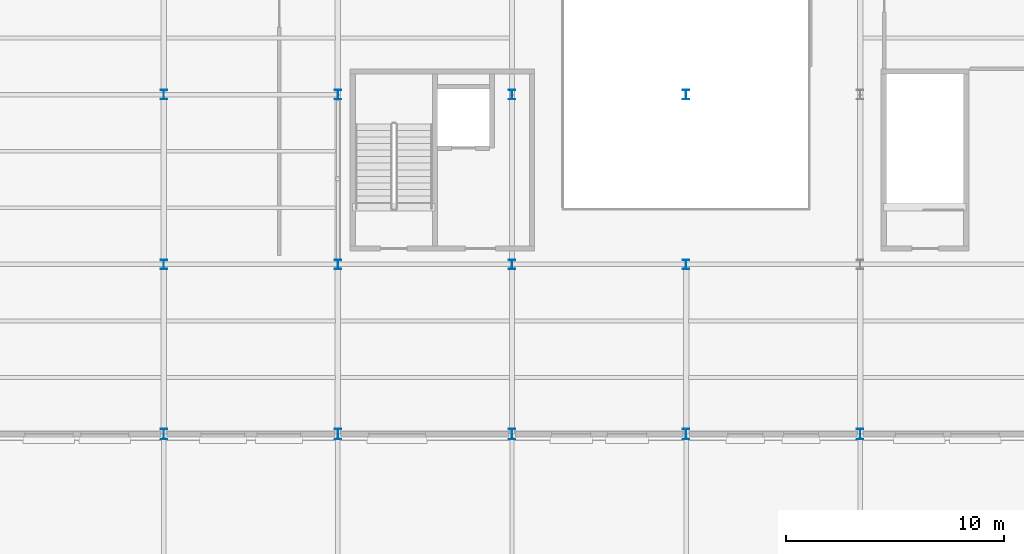
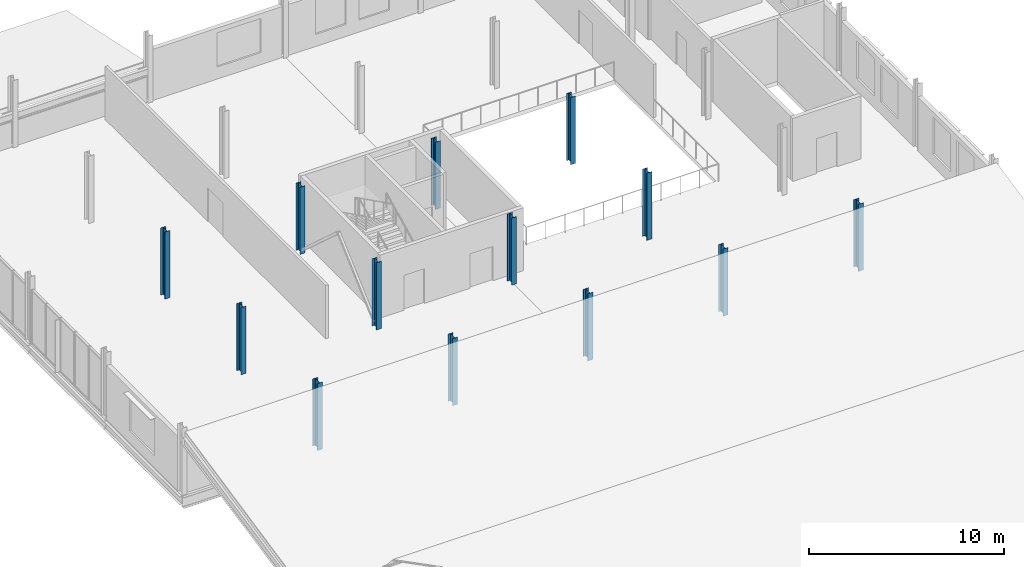
# One storey, part 3 of 45: 13 columns.
"""IFC4 building model written with IfcOpenShell, lengths in metres."""

from ifc_helpers import new_model, si_unit, direction, frame, origin, origin_2d, place, context, subcontext, project, spatial, i_section, extrude, material, material_profile, profile_set, type_object, element, save


model = new_model("IFC4")

# Units and contexts
model_context = context("Model", 3, precision=1e-05, world=origin(), true_north=direction((0.0, 1.0)))
body_context = subcontext(model_context, "Body", "Model", "MODEL_VIEW")
ifc_project = project(units=[si_unit("LENGTHUNIT", "METRE"), si_unit("AREAUNIT", "SQUARE_METRE"), si_unit("VOLUMEUNIT", "CUBIC_METRE"), si_unit("PLANEANGLEUNIT", "RADIAN"), si_unit("MASSUNIT", "GRAM", prefix="KILO")], contexts=[model_context])

# Site, building, storey
site_placement = place(None, origin())
site = spatial("IfcSite", under=ifc_project, at=site_placement, CompositionType="ELEMENT")
building_placement = place(site_placement, origin())
building = spatial("IfcBuilding", under=site, at=building_placement, Name="Yukiwa Park Conservatory and Herbarium", CompositionType="ELEMENT")
storey_placement = place(building_placement, frame((0.0, 0.0, 9.0)))
storey = spatial("IfcBuildingStorey", under=building, at=storey_placement, Name="L02", CompositionType="ELEMENT", Elevation=9.0)

# Columns
ifc_material_1 = material(Name="Steel Q355D", Category="steel")
ifc_material_profile_1 = material_profile(ifc_material_1, i_section(OverallWidth=0.300048828125, OverallDepth=0.43994140625, WebThickness=0.010986328125, FlangeThickness=0.01806640625, FilletRadius=0.02392578125, at=origin_2d()), Name="HM 440x300x11x18")
ifc_profile_set_1 = profile_set([ifc_material_profile_1], Name="Steel Q355D")
column_type_1 = type_object("IfcColumnType", Name="COL-VS-HM440", PredefinedType="COLUMN", material=ifc_profile_set_1)
for number, where, z_axis, x_axis, name in (
    (1, (68.0, 54.60009765625, 0.0), (0.0, 0.0, 1.0), (1.0, 0.0, 0.0), "L02 column V3-X680-Y546"),
    (2, (68.0, 62.39990234375, 0.0), (0.0, 0.0, 1.0), (1.0, 0.0, 0.0), "L02 column V3-X680-Y624"),
    (3, (76.0, 54.60009765625, 0.0), (0.0, 0.0, 1.0), (1.0, 0.0, 0.0), "L02 column V3-X760-Y546"),
    (4, (76.0, 62.39990234375, 0.0), (0.0, 0.0, 1.0), (1.0, 0.0, 0.0), "L02 column V3-X760-Y624"),
    (5, (84.0, 54.60009765625, 0.0), (0.0, 0.0, 1.0), (1.0, 0.0, 0.0), "L02 column V3-X840-Y546"),
    (6, (84.0, 62.39990234375, 0.0), (0.0, 0.0, 1.0), (1.0, 0.0, 0.0), "L02 column V3-X840-Y624"),
    (7, (92.0, 54.60009765625, 0.0), (0.0, 0.0, 1.0), (1.0, 0.0, 0.0), "L02 column V3-X920-Y546"),
    (8, (92.0, 62.39990234375, 0.0), (0.0, 0.0, 1.0), (1.0, 0.0, 0.0), "L02 column V3-X920-Y624"),
):
    element("IfcColumn", number, at=place(storey_placement, frame(where, z_axis=z_axis, x_axis=x_axis)), inside=storey, type_object=column_type_1, Name=name, PredefinedType="COLUMN", context=body_context, shape_type="SweptSolid", body=[
        extrude(i_section(OverallWidth=0.300048828125, OverallDepth=0.43994140625, WebThickness=0.010986328125, FlangeThickness=0.01806640625, FilletRadius=0.02392578125, at=origin_2d()), origin(), (0.0, 0.0, 1.0), 4.199951171875),
    ])
ifc_material_2 = material(Name="Steel Q355D", Category="steel")
ifc_material_profile_2 = material_profile(ifc_material_2, i_section(OverallWidth=0.300048828125, OverallDepth=0.48193359375, WebThickness=0.010986328125, FlangeThickness=0.014892578125, FilletRadius=0.02392578125, at=origin_2d()), Name="HM 482x300x11x15")
ifc_profile_set_2 = profile_set([ifc_material_profile_2], Name="Steel Q355D")
column_type_2 = type_object("IfcColumnType", Name="COL-VS-HM482-EXT", PredefinedType="COLUMN", material=ifc_profile_set_2)
for number, where, z_axis, x_axis, name in (
    (9, (68.0, 46.800048828125, 0.0), (0.0, 0.0, 1.0), (1.0, 0.0, 0.0), "L02 column V3-X680-Y468"),
    (10, (76.0, 46.800048828125, 0.0), (0.0, 0.0, 1.0), (1.0, 0.0, 0.0), "L02 column V3-X760-Y468"),
    (11, (84.0, 46.800048828125, 0.0), (0.0, 0.0, 1.0), (1.0, 0.0, 0.0), "L02 column V3-X840-Y468"),
    (12, (92.0, 46.800048828125, 0.0), (0.0, 0.0, 1.0), (1.0, 0.0, 0.0), "L02 column V3-X920-Y468"),
    (13, (100.0, 46.800048828125, 0.0), (0.0, 0.0, 1.0), (1.0, 0.0, 0.0), "L02 column V3-X1000-Y468"),
):
    element("IfcColumn", number, at=place(storey_placement, frame(where, z_axis=z_axis, x_axis=x_axis)), inside=storey, type_object=column_type_2, Name=name, PredefinedType="COLUMN", context=body_context, shape_type="SweptSolid", body=[
        extrude(i_section(OverallWidth=0.300048828125, OverallDepth=0.48193359375, WebThickness=0.010986328125, FlangeThickness=0.014892578125, FilletRadius=0.02392578125, at=origin_2d()), origin(), (0.0, 0.0, 1.0), 4.199951171875),
    ])

save(model, "model.ifc")
